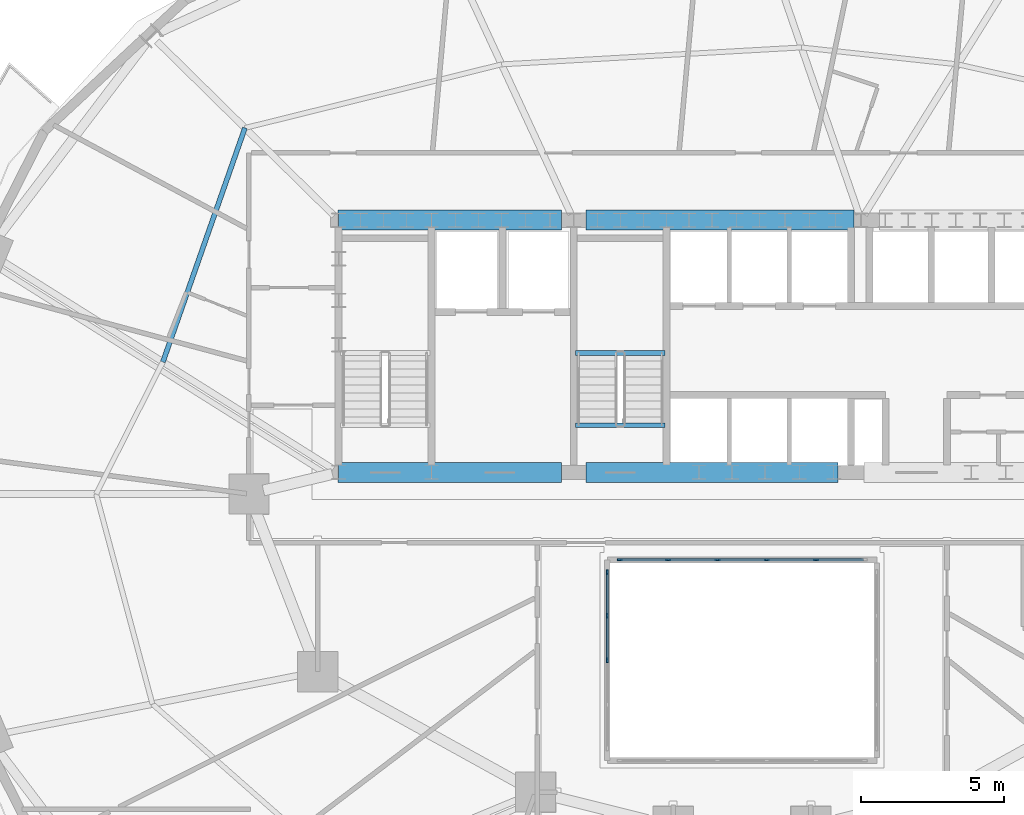
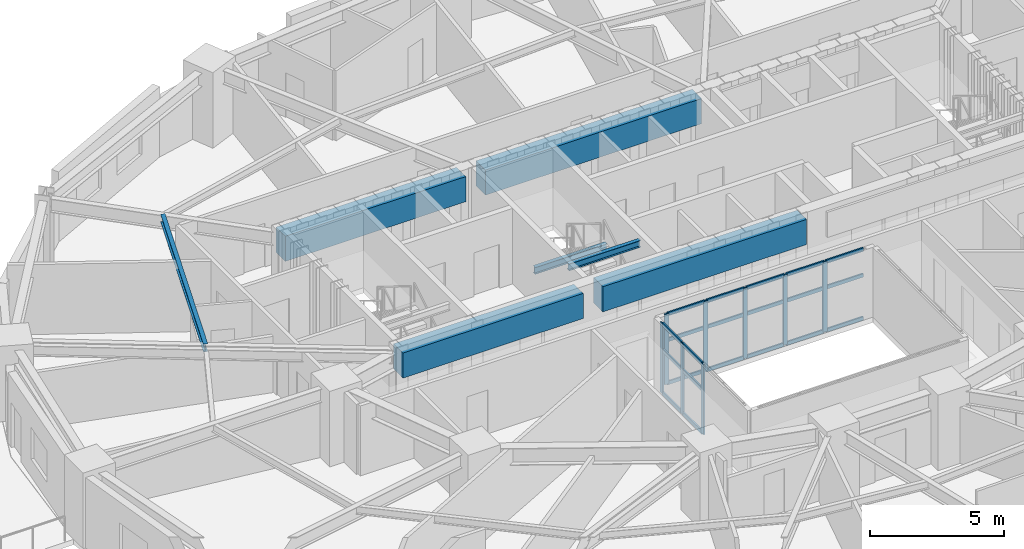
# One storey, part 4 of 15: 29 members, 7 beams, 2 elements without a shape of their own.
"""IFC4 building model written with IfcOpenShell, lengths in metres."""

from ifc_helpers import new_model, si_unit, direction, frame, origin, origin_2d, place, context, subcontext, project, spatial, rectangle, i_section, extrude, material, material_profile, profile_set, type_object, element, aggregate, save


model = new_model("IFC4")

# Units and contexts
model_context = context("Model", 3, precision=1e-05, world=origin(), true_north=direction((0.0, 1.0)))
body_context = subcontext(model_context, "Body", "Model", "MODEL_VIEW")
ifc_project = project(units=[si_unit("LENGTHUNIT", "METRE"), si_unit("AREAUNIT", "SQUARE_METRE"), si_unit("VOLUMEUNIT", "CUBIC_METRE"), si_unit("PLANEANGLEUNIT", "RADIAN"), si_unit("MASSUNIT", "GRAM", prefix="KILO")], contexts=[model_context])

# Site, building, storey
site_placement = place(None, origin())
site = spatial("IfcSite", under=ifc_project, at=site_placement, CompositionType="ELEMENT")
building_placement = place(site_placement, origin())
building = spatial("IfcBuilding", under=site, at=building_placement, Name="Haldorwick Loom Tower", CompositionType="ELEMENT")
storey_placement = place(building_placement, frame((0.0, 0.0, 85.25)))
storey = spatial("IfcBuildingStorey", under=building, at=storey_placement, Name="L22", CompositionType="ELEMENT", Elevation=85.25)

# Curtain wall, members
ifc_material_1 = material(Name="Thermally Broken Anodized Aluminium Curtain Wall Framing", Category="aluminium")
curtain_wall_type = type_object("IfcCurtainWallType", Name="ARC-CW-03", PredefinedType="NOTDEFINED", material=ifc_material_1)
curtain_wall_1_placement = place(storey_placement, origin())
curtain_wall_1 = element("IfcCurtainWall", 1, at=curtain_wall_1_placement, inside=storey, type_object=curtain_wall_type, Name="L22 Atrium Glazed Screen N", PredefinedType="NOTDEFINED")
ifc_material_profile_1 = material_profile(ifc_material_1, rectangle(XDim=0.06591796875, YDim=0.18505859375, at=origin_2d()), Name="ALU_MUL_66X185", Category="aluminium")
ifc_profile_set_1 = profile_set([ifc_material_profile_1], Name="Thermally Broken Anodized Aluminium Curtain Wall Framing")
member_type_1 = type_object("IfcMemberType", Name="ARC-CWM-03", PredefinedType="MULLION", material=ifc_profile_set_1)
member_1_placement = place(storey_placement, frame((31.73291015625, 23.699951171875, 0.0), z_axis=(0.0, 0.0, 1.0), x_axis=(0.0, 1.0, 0.0)))
member_1 = element("IfcMember", 2, at=member_1_placement, type_object=member_type_1, Name="CW-03 mullion 1", PredefinedType="MULLION", context=body_context, shape_type="SweptSolid", body=[
    extrude(rectangle(XDim=0.06591796875, YDim=0.18505859375, at=origin_2d()), origin(), (0.0, 0.0, 1.0), 3.2099609375),
])
member_2_placement = place(storey_placement, frame((33.419921875, 23.699951171875, 0.0), z_axis=(0.0, 0.0, 1.0), x_axis=(0.0, 1.0, 0.0)))
member_2 = element("IfcMember", 3, at=member_2_placement, type_object=member_type_1, Name="CW-03 mullion 2", PredefinedType="MULLION", context=body_context, shape_type="SweptSolid", body=[
    extrude(rectangle(XDim=0.06591796875, YDim=0.18505859375, at=origin_2d()), origin(), (0.0, 0.0, 1.0), 3.2099609375),
])
member_3_placement = place(storey_placement, frame((35.139892578125, 23.699951171875, 0.0), z_axis=(0.0, 0.0, 1.0), x_axis=(0.0, 1.0, 0.0)))
member_3 = element("IfcMember", 4, at=member_3_placement, type_object=member_type_1, Name="CW-03 mullion 3", PredefinedType="MULLION", context=body_context, shape_type="SweptSolid", body=[
    extrude(rectangle(XDim=0.06591796875, YDim=0.18505859375, at=origin_2d()), origin(), (0.0, 0.0, 1.0), 3.2099609375),
])
member_4_placement = place(storey_placement, frame((36.860107421875, 23.699951171875, 0.0), z_axis=(0.0, 0.0, 1.0), x_axis=(0.0, 1.0, 0.0)))
member_4 = element("IfcMember", 5, at=member_4_placement, type_object=member_type_1, Name="CW-03 mullion 4", PredefinedType="MULLION", context=body_context, shape_type="SweptSolid", body=[
    extrude(rectangle(XDim=0.06591796875, YDim=0.18505859375, at=origin_2d()), origin(), (0.0, 0.0, 1.0), 3.2099609375),
])
member_5_placement = place(storey_placement, frame((38.580078125, 23.699951171875, 0.0), z_axis=(0.0, 0.0, 1.0), x_axis=(0.0, 1.0, 0.0)))
member_5 = element("IfcMember", 6, at=member_5_placement, type_object=member_type_1, Name="CW-03 mullion 5", PredefinedType="MULLION", context=body_context, shape_type="SweptSolid", body=[
    extrude(rectangle(XDim=0.06591796875, YDim=0.18505859375, at=origin_2d()), origin(), (0.0, 0.0, 1.0), 3.2099609375),
])

curtain_wall_2_placement = place(storey_placement, origin())
curtain_wall_2 = element("IfcCurtainWall", 7, at=curtain_wall_2_placement, inside=storey, type_object=curtain_wall_type, Name="L22 Atrium Glazed Screen W", PredefinedType="NOTDEFINED")
member_6_placement = place(storey_placement, frame((31.300048828125, 20.199951171875, 0.0), z_axis=(0.0, 0.0, 1.0), x_axis=(-1.0, 0.0, 0.0)))
member_6 = element("IfcMember", 8, at=member_6_placement, type_object=member_type_1, Name="CW-03 mullion 3", PredefinedType="MULLION", context=body_context, shape_type="SweptSolid", body=[
    extrude(rectangle(XDim=0.06591796875, YDim=0.18505859375, at=origin_2d()), origin(), (0.0, 0.0, 1.0), 3.2099609375),
])
member_7_placement = place(storey_placement, frame((31.300048828125, 21.75, 0.0), z_axis=(0.0, 0.0, 1.0), x_axis=(-1.0, 0.0, 0.0)))
member_7 = element("IfcMember", 9, at=member_7_placement, type_object=member_type_1, Name="CW-03 mullion 4", PredefinedType="MULLION", context=body_context, shape_type="SweptSolid", body=[
    extrude(rectangle(XDim=0.06591796875, YDim=0.18505859375, at=origin_2d()), origin(), (0.0, 0.0, 1.0), 3.2099609375),
])
member_8_placement = place(storey_placement, frame((31.300048828125, 23.26708984375, 0.0), z_axis=(0.0, 0.0, 1.0), x_axis=(-1.0, 0.0, 0.0)))
member_8 = element("IfcMember", 10, at=member_8_placement, type_object=member_type_1, Name="CW-03 mullion 5", PredefinedType="MULLION", context=body_context, shape_type="SweptSolid", body=[
    extrude(rectangle(XDim=0.06591796875, YDim=0.18505859375, at=origin_2d()), origin(), (0.0, 0.0, 1.0), 3.2099609375),
])

# Member
ifc_material_profile_2 = material_profile(ifc_material_1, rectangle(XDim=0.06591796875, YDim=0.1650390625, at=origin_2d()), Name="ALU_TRN_66X165", Category="aluminium")
ifc_profile_set_2 = profile_set([ifc_material_profile_2], Name="Thermally Broken Anodized Aluminium Curtain Wall Framing")
member_type_2 = type_object("IfcMemberType", Name="ARC-CWT-03", PredefinedType="USERDEFINED", material=ifc_profile_set_2)
member_9_placement = place(storey_placement, frame((31.76611328125, 23.699951171875, 0.032958984375), z_axis=(1.0, 0.0, 0.0), x_axis=(0.0, 1.0, 0.0)))
member_9 = element("IfcMember", 11, at=member_9_placement, type_object=member_type_2, Name="CW-03 transom 1.1", ObjectType="TRANSOM", PredefinedType="USERDEFINED", context=body_context, shape_type="SweptSolid", body=[
    extrude(rectangle(XDim=0.06591796875, YDim=0.1650390625, at=origin_2d()), origin(), (0.0, 0.0, 1.0), 1.620849609375),
])

member_10_placement = place(storey_placement, frame((31.76611328125, 23.699951171875, 2.0), z_axis=(1.0, 0.0, 0.0), x_axis=(0.0, 1.0, 0.0)))
member_10 = element("IfcMember", 12, at=member_10_placement, type_object=member_type_2, Name="CW-03 transom 1.2", ObjectType="TRANSOM", PredefinedType="USERDEFINED", context=body_context, shape_type="SweptSolid", body=[
    extrude(rectangle(XDim=0.06591796875, YDim=0.1650390625, at=origin_2d()), origin(), (0.0, 0.0, 1.0), 1.620849609375),
])

member_11_placement = place(storey_placement, frame((31.76611328125, 23.699951171875, 3.177001953125), z_axis=(1.0, 0.0, 0.0), x_axis=(0.0, 1.0, 0.0)))
member_11 = element("IfcMember", 13, at=member_11_placement, type_object=member_type_2, Name="CW-03 transom 1.3", ObjectType="TRANSOM", PredefinedType="USERDEFINED", context=body_context, shape_type="SweptSolid", body=[
    extrude(rectangle(XDim=0.06591796875, YDim=0.1650390625, at=origin_2d()), origin(), (0.0, 0.0, 1.0), 1.620849609375),
])

member_12_placement = place(storey_placement, frame((33.452880859375, 23.699951171875, 0.032958984375), z_axis=(1.0, 0.0, 0.0), x_axis=(0.0, 1.0, 0.0)))
member_12 = element("IfcMember", 14, at=member_12_placement, type_object=member_type_2, Name="CW-03 transom 2.1", ObjectType="TRANSOM", PredefinedType="USERDEFINED", context=body_context, shape_type="SweptSolid", body=[
    extrude(rectangle(XDim=0.06591796875, YDim=0.1650390625, at=origin_2d()), origin(), (0.0, 0.0, 1.0), 1.654052734375),
])

member_13_placement = place(storey_placement, frame((33.452880859375, 23.699951171875, 2.0), z_axis=(1.0, 0.0, 0.0), x_axis=(0.0, 1.0, 0.0)))
member_13 = element("IfcMember", 15, at=member_13_placement, type_object=member_type_2, Name="CW-03 transom 2.2", ObjectType="TRANSOM", PredefinedType="USERDEFINED", context=body_context, shape_type="SweptSolid", body=[
    extrude(rectangle(XDim=0.06591796875, YDim=0.1650390625, at=origin_2d()), origin(), (0.0, 0.0, 1.0), 1.654052734375),
])

member_14_placement = place(storey_placement, frame((33.452880859375, 23.699951171875, 3.177001953125), z_axis=(1.0, 0.0, 0.0), x_axis=(0.0, 1.0, 0.0)))
member_14 = element("IfcMember", 16, at=member_14_placement, type_object=member_type_2, Name="CW-03 transom 2.3", ObjectType="TRANSOM", PredefinedType="USERDEFINED", context=body_context, shape_type="SweptSolid", body=[
    extrude(rectangle(XDim=0.06591796875, YDim=0.1650390625, at=origin_2d()), origin(), (0.0, 0.0, 1.0), 1.654052734375),
])

member_15_placement = place(storey_placement, frame((35.173095703125, 23.699951171875, 0.032958984375), z_axis=(1.0, 0.0, 0.0), x_axis=(0.0, 1.0, 0.0)))
member_15 = element("IfcMember", 17, at=member_15_placement, type_object=member_type_2, Name="CW-03 transom 3.1", ObjectType="TRANSOM", PredefinedType="USERDEFINED", context=body_context, shape_type="SweptSolid", body=[
    extrude(rectangle(XDim=0.06591796875, YDim=0.1650390625, at=origin_2d()), origin(), (0.0, 0.0, 1.0), 1.65380859375),
])

member_16_placement = place(storey_placement, frame((35.173095703125, 23.699951171875, 2.0), z_axis=(1.0, 0.0, 0.0), x_axis=(0.0, 1.0, 0.0)))
member_16 = element("IfcMember", 18, at=member_16_placement, type_object=member_type_2, Name="CW-03 transom 3.2", ObjectType="TRANSOM", PredefinedType="USERDEFINED", context=body_context, shape_type="SweptSolid", body=[
    extrude(rectangle(XDim=0.06591796875, YDim=0.1650390625, at=origin_2d()), origin(), (0.0, 0.0, 1.0), 1.65380859375),
])

member_17_placement = place(storey_placement, frame((35.173095703125, 23.699951171875, 3.177001953125), z_axis=(1.0, 0.0, 0.0), x_axis=(0.0, 1.0, 0.0)))
member_17 = element("IfcMember", 19, at=member_17_placement, type_object=member_type_2, Name="CW-03 transom 3.3", ObjectType="TRANSOM", PredefinedType="USERDEFINED", context=body_context, shape_type="SweptSolid", body=[
    extrude(rectangle(XDim=0.06591796875, YDim=0.1650390625, at=origin_2d()), origin(), (0.0, 0.0, 1.0), 1.65380859375),
])

member_18_placement = place(storey_placement, frame((36.89306640625, 23.699951171875, 0.032958984375), z_axis=(1.0, 0.0, 0.0), x_axis=(0.0, 1.0, 0.0)))
member_18 = element("IfcMember", 20, at=member_18_placement, type_object=member_type_2, Name="CW-03 transom 4.1", ObjectType="TRANSOM", PredefinedType="USERDEFINED", context=body_context, shape_type="SweptSolid", body=[
    extrude(rectangle(XDim=0.06591796875, YDim=0.1650390625, at=origin_2d()), origin(), (0.0, 0.0, 1.0), 1.654052734375),
])

member_19_placement = place(storey_placement, frame((36.89306640625, 23.699951171875, 2.0), z_axis=(1.0, 0.0, 0.0), x_axis=(0.0, 1.0, 0.0)))
member_19 = element("IfcMember", 21, at=member_19_placement, type_object=member_type_2, Name="CW-03 transom 4.2", ObjectType="TRANSOM", PredefinedType="USERDEFINED", context=body_context, shape_type="SweptSolid", body=[
    extrude(rectangle(XDim=0.06591796875, YDim=0.1650390625, at=origin_2d()), origin(), (0.0, 0.0, 1.0), 1.654052734375),
])

member_20_placement = place(storey_placement, frame((36.89306640625, 23.699951171875, 3.177001953125), z_axis=(1.0, 0.0, 0.0), x_axis=(0.0, 1.0, 0.0)))
member_20 = element("IfcMember", 22, at=member_20_placement, type_object=member_type_2, Name="CW-03 transom 4.3", ObjectType="TRANSOM", PredefinedType="USERDEFINED", context=body_context, shape_type="SweptSolid", body=[
    extrude(rectangle(XDim=0.06591796875, YDim=0.1650390625, at=origin_2d()), origin(), (0.0, 0.0, 1.0), 1.654052734375),
])

member_21_placement = place(storey_placement, frame((38.613037109375, 23.699951171875, 0.032958984375), z_axis=(1.0, 0.0, 0.0), x_axis=(0.0, 1.0, 0.0)))
member_21 = element("IfcMember", 23, at=member_21_placement, type_object=member_type_2, Name="CW-03 transom 5.1", ObjectType="TRANSOM", PredefinedType="USERDEFINED", context=body_context, shape_type="SweptSolid", body=[
    extrude(rectangle(XDim=0.06591796875, YDim=0.1650390625, at=origin_2d()), origin(), (0.0, 0.0, 1.0), 1.620849609375),
])

member_22_placement = place(storey_placement, frame((38.613037109375, 23.699951171875, 2.0), z_axis=(1.0, 0.0, 0.0), x_axis=(0.0, 1.0, 0.0)))
member_22 = element("IfcMember", 24, at=member_22_placement, type_object=member_type_2, Name="CW-03 transom 5.2", ObjectType="TRANSOM", PredefinedType="USERDEFINED", context=body_context, shape_type="SweptSolid", body=[
    extrude(rectangle(XDim=0.06591796875, YDim=0.1650390625, at=origin_2d()), origin(), (0.0, 0.0, 1.0), 1.620849609375),
])

member_23_placement = place(storey_placement, frame((38.613037109375, 23.699951171875, 3.177001953125), z_axis=(1.0, 0.0, 0.0), x_axis=(0.0, 1.0, 0.0)))
member_23 = element("IfcMember", 25, at=member_23_placement, type_object=member_type_2, Name="CW-03 transom 5.3", ObjectType="TRANSOM", PredefinedType="USERDEFINED", context=body_context, shape_type="SweptSolid", body=[
    extrude(rectangle(XDim=0.06591796875, YDim=0.1650390625, at=origin_2d()), origin(), (0.0, 0.0, 1.0), 1.620849609375),
])

aggregate(curtain_wall_1, [member_1, member_2, member_3, member_4, member_5, member_9, member_10, member_11, member_12, member_13, member_14, member_15, member_16, member_17, member_18, member_19, member_20, member_21, member_22, member_23])

member_24_placement = place(storey_placement, frame((31.300048828125, 20.23291015625, 0.032958984375), z_axis=(0.0, 1.0, 0.0), x_axis=(-1.0, 0.0, 0.0)))
member_24 = element("IfcMember", 26, at=member_24_placement, type_object=member_type_2, Name="CW-03 transom 3.1", ObjectType="TRANSOM", PredefinedType="USERDEFINED", context=body_context, shape_type="SweptSolid", body=[
    extrude(rectangle(XDim=0.06591796875, YDim=0.1650390625, at=origin_2d()), origin(), (0.0, 0.0, 1.0), 1.484130859375),
])

member_25_placement = place(storey_placement, frame((31.300048828125, 20.23291015625, 2.0), z_axis=(0.0, 1.0, 0.0), x_axis=(-1.0, 0.0, 0.0)))
member_25 = element("IfcMember", 27, at=member_25_placement, type_object=member_type_2, Name="CW-03 transom 3.2", ObjectType="TRANSOM", PredefinedType="USERDEFINED", context=body_context, shape_type="SweptSolid", body=[
    extrude(rectangle(XDim=0.06591796875, YDim=0.1650390625, at=origin_2d()), origin(), (0.0, 0.0, 1.0), 1.484130859375),
])

member_26_placement = place(storey_placement, frame((31.300048828125, 20.23291015625, 3.177001953125), z_axis=(0.0, 1.0, 0.0), x_axis=(-1.0, 0.0, 0.0)))
member_26 = element("IfcMember", 28, at=member_26_placement, type_object=member_type_2, Name="CW-03 transom 3.3", ObjectType="TRANSOM", PredefinedType="USERDEFINED", context=body_context, shape_type="SweptSolid", body=[
    extrude(rectangle(XDim=0.06591796875, YDim=0.1650390625, at=origin_2d()), origin(), (0.0, 0.0, 1.0), 1.484130859375),
])

member_27_placement = place(storey_placement, frame((31.300048828125, 21.782958984375, 0.032958984375), z_axis=(0.0, 1.0, 0.0), x_axis=(-1.0, 0.0, 0.0)))
member_27 = element("IfcMember", 29, at=member_27_placement, type_object=member_type_2, Name="CW-03 transom 4.1", ObjectType="TRANSOM", PredefinedType="USERDEFINED", context=body_context, shape_type="SweptSolid", body=[
    extrude(rectangle(XDim=0.06591796875, YDim=0.1650390625, at=origin_2d()), origin(), (0.0, 0.0, 1.0), 1.450927734375),
])

member_28_placement = place(storey_placement, frame((31.300048828125, 21.782958984375, 2.0), z_axis=(0.0, 1.0, 0.0), x_axis=(-1.0, 0.0, 0.0)))
member_28 = element("IfcMember", 30, at=member_28_placement, type_object=member_type_2, Name="CW-03 transom 4.2", ObjectType="TRANSOM", PredefinedType="USERDEFINED", context=body_context, shape_type="SweptSolid", body=[
    extrude(rectangle(XDim=0.06591796875, YDim=0.1650390625, at=origin_2d()), origin(), (0.0, 0.0, 1.0), 1.450927734375),
])

member_29_placement = place(storey_placement, frame((31.300048828125, 21.782958984375, 3.177001953125), z_axis=(0.0, 1.0, 0.0), x_axis=(-1.0, 0.0, 0.0)))
member_29 = element("IfcMember", 31, at=member_29_placement, type_object=member_type_2, Name="CW-03 transom 4.3", ObjectType="TRANSOM", PredefinedType="USERDEFINED", context=body_context, shape_type="SweptSolid", body=[
    extrude(rectangle(XDim=0.06591796875, YDim=0.1650390625, at=origin_2d()), origin(), (0.0, 0.0, 1.0), 1.450927734375),
])

aggregate(curtain_wall_2, [member_6, member_7, member_8, member_24, member_25, member_26, member_27, member_28, member_29])

# Beams
ifc_material_2 = material(Name="Concrete C60 (60 MPa)", Category="concrete")
ifc_material_profile_3 = material_profile(ifc_material_2, rectangle(XDim=0.699951171875, YDim=1.14990234375, at=origin_2d()), Name="RC700X1150", Category="concrete")
ifc_profile_set_3 = profile_set([ifc_material_profile_3], Name="Concrete C60 (60 MPa)")
beam_type_1 = type_object("IfcBeamType", Name="STR-BM-CB1150", PredefinedType="LINTEL", material=ifc_profile_set_3)
beam_1_placement = place(storey_placement, frame((21.89990234375, 35.550048828125, 2.635009765625), z_axis=(1.0, 0.0, 0.0), x_axis=(0.0, 1.0, 0.0)))
element("IfcBeam", 32, at=beam_1_placement, inside=storey, type_object=beam_type_1, Name="L22 Core Coupling Beam CB-N1", PredefinedType="LINTEL", context=body_context, shape_type="SweptSolid", body=[
    extrude(rectangle(XDim=0.699951171875, YDim=1.14990234375, at=origin_2d()), origin(), (0.0, 0.0, 1.0), 7.800048828125),
])
beam_2_placement = place(storey_placement, frame((30.550048828125, 35.550048828125, 2.635009765625), z_axis=(1.0, 0.0, 0.0), x_axis=(0.0, 1.0, 0.0)))
element("IfcBeam", 33, at=beam_2_placement, inside=storey, type_object=beam_type_1, Name="L22 Core Coupling Beam CB-N2", PredefinedType="LINTEL", context=body_context, shape_type="SweptSolid", body=[
    extrude(rectangle(XDim=0.699951171875, YDim=1.14990234375, at=origin_2d()), origin(), (0.0, 0.0, 1.0), 9.349853515625),
])
beam_3_placement = place(storey_placement, frame((21.89990234375, 26.75, 2.635009765625), z_axis=(1.0, 0.0, 0.0), x_axis=(0.0, 1.0, 0.0)))
element("IfcBeam", 34, at=beam_3_placement, inside=storey, type_object=beam_type_1, Name="L22 Core Coupling Beam CB-S1", PredefinedType="LINTEL", context=body_context, shape_type="SweptSolid", body=[
    extrude(rectangle(XDim=0.699951171875, YDim=1.14990234375, at=origin_2d()), origin(), (0.0, 0.0, 1.0), 7.800048828125),
])
beam_4_placement = place(storey_placement, frame((30.550048828125, 26.75, 2.635009765625), z_axis=(1.0, 0.0, 0.0), x_axis=(0.0, 1.0, 0.0)))
element("IfcBeam", 35, at=beam_4_placement, inside=storey, type_object=beam_type_1, Name="L22 Core Coupling Beam CB-S2", PredefinedType="LINTEL", context=body_context, shape_type="SweptSolid", body=[
    extrude(rectangle(XDim=0.699951171875, YDim=1.14990234375, at=origin_2d()), origin(), (0.0, 0.0, 1.0), 8.800048828125),
])
ifc_material_3 = material(Name="Steel CSA G40.21 350W", Category="steel")
ifc_material_profile_4 = material_profile(ifc_material_3, i_section(OverallWidth=0.172119140625, OverallDepth=0.35791015625, WebThickness=0.0078125, FlangeThickness=0.01318359375, at=origin_2d()), Name="W360X57", Category="steel")
ifc_profile_set_4 = profile_set([ifc_material_profile_4], Name="Steel CSA G40.21 350W")
beam_type_2 = type_object("IfcBeamType", Name="STR-BM-J360", PredefinedType="JOIST", material=ifc_profile_set_4)
beam_5_placement = place(storey_placement, frame((18.66162109375, 38.765869140625, 3.031005859375), z_axis=(-0.330864603503, -0.943678236556, 0.0), x_axis=(0.943678236556, -0.330864603503, 0.0)))
element("IfcBeam", 36, at=beam_5_placement, inside=storey, type_object=beam_type_2, Name="L22 Mid-Bay Secondary Joist 7", PredefinedType="JOIST", context=body_context, shape_type="SweptSolid", body=[
    extrude(i_section(OverallWidth=0.172119140625, OverallDepth=0.35791015625, WebThickness=0.0078125, FlangeThickness=0.01318359375, at=origin_2d()), origin(), (0.0, 0.0, 1.0), 8.6494140625),
])
ifc_material_profile_5 = material_profile(ifc_material_3, i_section(OverallWidth=0.166015625, OverallDepth=0.31298828125, WebThickness=0.006591796875, FlangeThickness=0.01123046875, at=origin_2d()), Name="W310X45", Category="steel")
ifc_profile_set_5 = profile_set([ifc_material_profile_5], Name="Steel CSA G40.21 350W")
beam_type_3 = type_object("IfcBeamType", Name="STR-BM-STRM", PredefinedType="BEAM", material=ifc_profile_set_5)
for number, where, z_axis, x_axis, name in (
    (37, (30.18994140625, 28.39990234375, 3.053466796875), (1.0, 0.0, 0.0), (0.0, 1.0, 0.0), "L22 Stair ST-03 Landing Edge Trimmer"),
    (38, (30.18994140625, 30.919921875, 1.368408203125), (1.0, 0.0, 0.0), (0.0, 1.0, 0.0), "L22 Stair ST-03 Half-Landing Trimmer 1"),
):
    element("IfcBeam", number, at=place(storey_placement, frame(where, z_axis=z_axis, x_axis=x_axis)), inside=storey, type_object=beam_type_3, Name=name, PredefinedType="BEAM", context=body_context, shape_type="SweptSolid", body=[
        extrude(i_section(OverallWidth=0.166015625, OverallDepth=0.31298828125, WebThickness=0.006591796875, FlangeThickness=0.01123046875, at=origin_2d()), origin(), (0.0, 0.0, 1.0), 3.1201171875),
    ])

save(model, "model.ifc")
